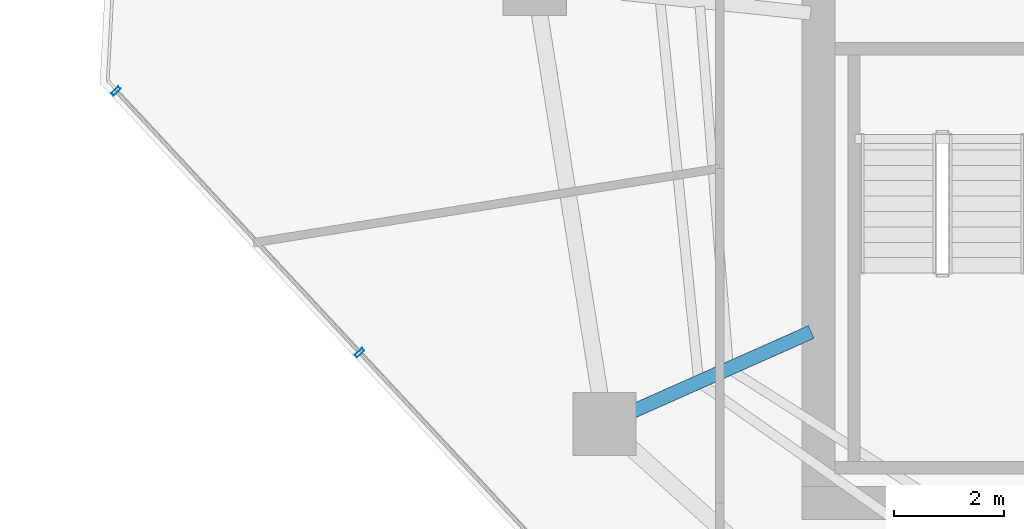
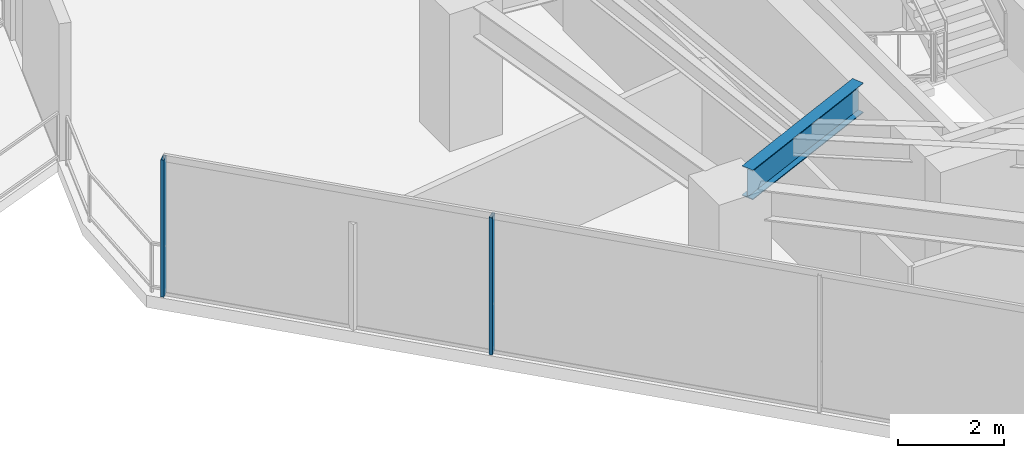
# One storey, part 5 of 23: 2 members, 1 beam, 1 element without a shape of its own.
"""IFC4 building model written with IfcOpenShell, lengths in metres."""

from ifc_helpers import new_model, si_unit, direction, frame, origin, origin_2d, place, context, subcontext, project, spatial, hollow_rectangle, i_section, extrude, material, layer, layer_set, material_profile, profile_set, type_object, element, aggregate, save


model = new_model("IFC4")

# Units and contexts
model_context = context("Model", 3, precision=1e-05, world=origin(), true_north=direction((0.0, 1.0)))
body_context = subcontext(model_context, "Body", "Model", "MODEL_VIEW")
ifc_project = project(units=[si_unit("LENGTHUNIT", "METRE"), si_unit("AREAUNIT", "SQUARE_METRE"), si_unit("VOLUMEUNIT", "CUBIC_METRE"), si_unit("PLANEANGLEUNIT", "RADIAN"), si_unit("MASSUNIT", "GRAM", prefix="KILO")], contexts=[model_context])

# Site, building, storey
site_placement = place(None, origin())
site = spatial("IfcSite", under=ifc_project, at=site_placement, CompositionType="ELEMENT")
building_placement = place(site_placement, origin())
building = spatial("IfcBuilding", under=site, at=building_placement, Name="Qarnah Convention Tower", CompositionType="ELEMENT")
storey_placement = place(building_placement, frame((0.0, 0.0, 114.300048828125)))
storey = spatial("IfcBuildingStorey", under=building, at=storey_placement, Name="L30", CompositionType="ELEMENT", Elevation=114.300048828125)

# Beam
ifc_material_1 = material(Name="Structural steel S355JR", Category="steel")
ifc_material_profile_1 = material_profile(ifc_material_1, i_section(OverallWidth=0.25390625, OverallDepth=0.68798828125, WebThickness=0.012939453125, FlangeThickness=0.02099609375, at=origin_2d()), Name="W690X152")
ifc_profile_set_1 = profile_set([ifc_material_profile_1], Name="Structural steel S355JR")
beam_type = type_object("IfcBeamType", Name="BM-RAD-W690", PredefinedType="BEAM", material=ifc_profile_set_1)
beam_placement = place(storey_placement, frame((26.6630859375, 21.708984375, 2.825927734375), z_axis=(-0.913588053958, -0.4066409567, 0.0), x_axis=(0.4066409567, -0.913588053958, 0.0)))
element("IfcBeam", 1, at=beam_placement, inside=storey, type_object=beam_type, Name="L30 beam BM-L30-RAD-06", PredefinedType="BEAM", context=body_context, shape_type="SweptSolid", body=[
    extrude(i_section(OverallWidth=0.25390625, OverallDepth=0.68798828125, WebThickness=0.012939453125, FlangeThickness=0.02099609375, at=origin_2d()), origin(), (0.0, 0.0, 1.0), 3.560791015625),
])

# Curtain wall, members
ifc_material_2 = material(Name="Tempered Low-E dark glass", Category="glass")
ifc_layer = layer(ifc_material_2, 0.169921875)
ifc_layer_set = layer_set([ifc_layer], Name="Tempered Low-E dark glass")
curtain_wall_type = type_object("IfcCurtainWallType", Name="CWS-02", PredefinedType="NOTDEFINED", material=ifc_layer_set)
curtain_wall_placement = place(storey_placement, origin())
curtain_wall = element("IfcCurtainWall", 2, at=curtain_wall_placement, inside=storey, type_object=curtain_wall_type, Name="L30 unitised curtain wall CW-L30-F1", PredefinedType="NOTDEFINED")
ifc_material_3 = material(Name="Black anodised aluminium", Category="aluminium")
ifc_material_profile_2 = material_profile(ifc_material_3, hollow_rectangle(XDim=0.06494140625, YDim=0.179931640625, WallThickness=0.00390625, at=origin_2d()), Name="MUL-65X180")
ifc_profile_set_2 = profile_set([ifc_material_profile_2], Name="Black anodised aluminium")
member_type = type_object("IfcMemberType", Name="MUL-T2", PredefinedType="MULLION", material=ifc_profile_set_2)
member_1_placement = place(storey_placement, frame((18.44921875, 21.33349609375, 0.0), z_axis=(0.0, 0.0, 1.0), x_axis=(-0.68148272069, 0.731834203492, 0.0)))
member_1 = element("IfcMember", 3, at=member_1_placement, type_object=member_type, Name="CW-L30-F1 mullion 5", PredefinedType="MULLION", context=body_context, shape_type="SweptSolid", body=[
    extrude(hollow_rectangle(XDim=0.06494140625, YDim=0.179931640625, WallThickness=0.00390625, at=origin_2d()), origin(), (0.0, 0.0, 1.0), 3.169921875),
])
member_2_placement = place(storey_placement, frame((14.01806640625, 26.092041015625, 0.0), z_axis=(0.0, 0.0, 1.0), x_axis=(-0.68148272069, 0.731834203492, 0.0)))
member_2 = element("IfcMember", 4, at=member_2_placement, type_object=member_type, Name="CW-L30-F1 mullion 6", PredefinedType="MULLION", context=body_context, shape_type="SweptSolid", body=[
    extrude(hollow_rectangle(XDim=0.06494140625, YDim=0.179931640625, WallThickness=0.00390625, at=origin_2d()), origin(), (0.0, 0.0, 1.0), 3.169921875),
])
aggregate(curtain_wall, [member_1, member_2])

save(model, "model.ifc")
